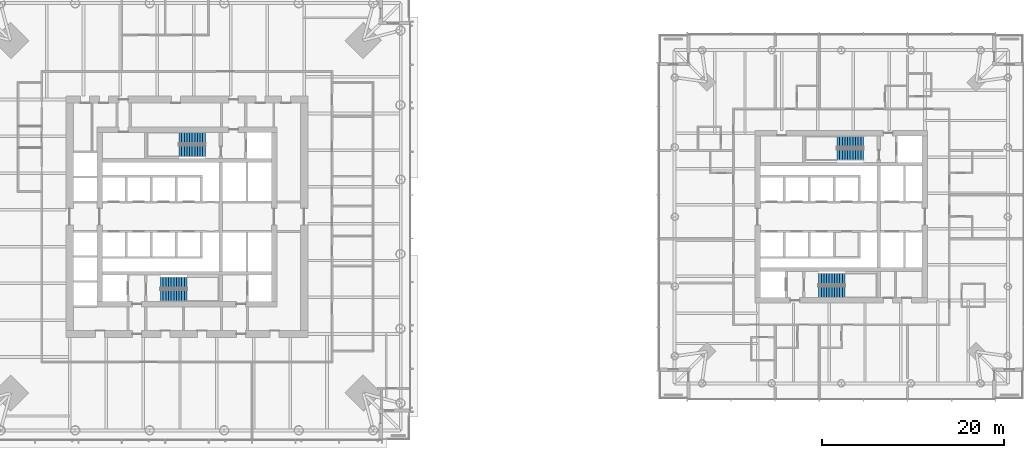
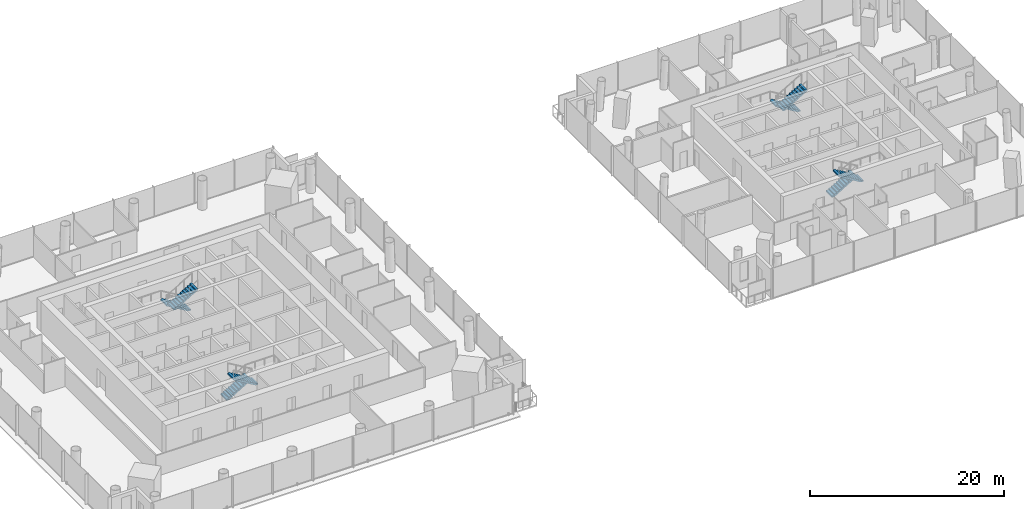
# One storey, part 17 of 26: 8 stair flights, 4 elements without a shape of their own.
"""IFC4 building model written with IfcOpenShell, lengths in metres."""

import ifcopenshell
import ifcopenshell.guid

model = None  # the IFC model being written
_history = None  # IfcOwnerHistory: only IFC2X3 demands one
_inside = {}  # id of a spatial element -> (the spatial element, [elements in it])
_under = {}  # id of a project, library or spatial element -> (it, [spatial elements below it])
_declared = {}  # id of a project -> (the project, [libraries it declares])
_typed = {}  # id of a type object -> (the type object, [elements of that type])
_made_of = {}  # id of a material, layer set ... -> (it, [elements and type objects made of it])


def new_model(schema):
    """Start an empty IFC model of exactly this schema.

    Asked for "IFC4X3", IfcOpenShell would pick the latest addendum, in which some entities
    have other attributes; the version numbers below select the first issue.
    IFC2X3 requires an IfcOwnerHistory on every rooted entity: one is made here for all.
    """
    global model, _history
    if schema == "IFC4X3":
        model = ifcopenshell.file(schema_version=(4, 3, 0, 0))
    else:
        model = ifcopenshell.file(schema=schema)
    _inside.clear()
    _under.clear()
    _declared.clear()
    _typed.clear()
    _made_of.clear()
    _history = None
    if model.schema == "IFC2X3":
        org = make("IfcOrganization", Name="unknown")
        user = make(
            "IfcPersonAndOrganization",
            ThePerson=make("IfcPerson", FamilyName="unknown"),
            TheOrganization=org,
        )
        app = make(
            "IfcApplication",
            ApplicationDeveloper=org,
            Version="unknown",
            ApplicationFullName="unknown",
            ApplicationIdentifier="unknown",
        )
        _history = make(
            "IfcOwnerHistory",
            OwningUser=user,
            OwningApplication=app,
            ChangeAction="ADDED",
            CreationDate=0,
        )
    return model


def make(cls, **values):
    """One entity of the class cls with the attributes given. An attribute that is None is left unset."""
    return model.create_entity(
        cls, **{name: value for name, value in values.items() if value is not None}
    )


def rooted(cls, **values):
    """An entity with a GlobalId (a new one), such as an element, a storey or a relation."""
    return make(cls, GlobalId=ifcopenshell.guid.new(), OwnerHistory=_history, **values)


def si_unit(unit_type, name, prefix=None):
    """IfcSIUnit, for example si_unit("LENGTHUNIT", "METRE", prefix="MILLI")."""
    return make("IfcSIUnit", UnitType=unit_type, Prefix=prefix, Name=name)


def assignment(units):
    """IfcUnitAssignment: the units of a project."""
    return None if units is None else make("IfcUnitAssignment", Units=units)


def point(xyz):
    """IfcCartesianPoint."""
    return None if xyz is None else make("IfcCartesianPoint", Coordinates=xyz)


def direction(xyz):
    """IfcDirection."""
    return None if xyz is None else make("IfcDirection", DirectionRatios=xyz)


def frame(location, z_axis=None, x_axis=None):
    """IfcAxis2Placement3D, a coordinate frame: its origin and axes. An axis left out is left unset."""
    return make(
        "IfcAxis2Placement3D",
        Location=point(location),
        Axis=direction(z_axis),
        RefDirection=direction(x_axis),
    )


def origin():
    """The frame at (0, 0, 0) with its axes left unset."""
    return frame((0.0, 0.0, 0.0))


def place(relative_to, where):
    """IfcLocalPlacement: puts the frame where relative to a parent placement (None: the world)."""
    return make(
        "IfcLocalPlacement", PlacementRelTo=relative_to, RelativePlacement=where
    )


def context(
    kind, dimensions, precision=None, world=None, true_north=None, identifier=None
):
    """IfcGeometricRepresentationContext, for example the 3D "Model" context."""
    return make(
        "IfcGeometricRepresentationContext",
        ContextIdentifier=identifier,
        ContextType=kind,
        CoordinateSpaceDimension=dimensions,
        Precision=precision,
        WorldCoordinateSystem=world,
        TrueNorth=true_north,
    )


def subcontext(parent, identifier, kind, view, scale=None):
    """IfcGeometricRepresentationSubContext, for example "Body" below "Model"."""
    return make(
        "IfcGeometricRepresentationSubContext",
        ContextIdentifier=identifier,
        ContextType=kind,
        ParentContext=parent,
        TargetScale=scale,
        TargetView=view,
    )


def project(units=None, contexts=None):
    """IfcProject with its units and contexts."""
    return rooted(
        "IfcProject",
        Name="project",
        RepresentationContexts=contexts,
        UnitsInContext=assignment(units),
    )


def spatial(cls, under=None, at=None, **own):
    """A site, building, storey or space (cls), placed at a placement, below another one or the project."""
    s = rooted(cls, ObjectPlacement=at, **own)
    if under is not None:
        _under.setdefault(under.id(), (under, []))[1].append(s)
    return s


def polyline(points):
    """IfcPolyline through the points."""
    return make("IfcPolyline", Points=[point(p) for p in points])


def outline(outer, holes=None, kind="AREA"):
    """IfcArbitraryClosedProfileDef: a profile drawn as a closed curve; with holes, ...WithVoids."""
    if holes is None:
        return make("IfcArbitraryClosedProfileDef", ProfileType=kind, OuterCurve=outer)
    return make(
        "IfcArbitraryProfileDefWithVoids",
        ProfileType=kind,
        OuterCurve=outer,
        InnerCurves=holes,
    )


def extrude(swept, where, along, depth):
    """IfcExtrudedAreaSolid: the profile swept, set in the frame where, extruded along a direction by depth."""
    return make(
        "IfcExtrudedAreaSolid",
        SweptArea=swept,
        Position=where,
        ExtrudedDirection=direction(along),
        Depth=depth,
    )


def shape(context_of_items, identifier, shape_type, items):
    """IfcShapeRepresentation: the items that make up one representation, for example the "Body"."""
    return make(
        "IfcShapeRepresentation",
        ContextOfItems=context_of_items,
        RepresentationIdentifier=identifier,
        RepresentationType=shape_type,
        Items=items,
    )


def material(Name=None, Category=None):
    """IfcMaterial."""
    return make("IfcMaterial", Name=Name, Category=Category)


def made_of(thing, what):
    """Note that an element or type object is made of a material, layer set ...; save() writes the relation."""
    if what is not None:
        _made_of.setdefault(what.id(), (what, []))[1].append(thing)
    return thing


def type_object(cls, material=None, **own):
    """A type object (cls), such as IfcWallType, which elements share."""
    return made_of(rooted(cls, **own), material)


def element(
    cls,
    number,
    at=None,
    inside=None,
    cuts=None,
    type_object=None,
    material=None,
    context=None,
    identifier="Body",
    shape_type=None,
    held_by="IfcProductDefinitionShape",
    body=None,
    shapes=None,
    **own,
):
    """One element of the class cls, such as IfcWall. Its Tag is "e" and its number.

    at: its placement. inside: the storey or other place that contains it. cuts: it is an
    opening in that element (IfcRelVoidsElement). A single representation is given by context,
    identifier, shape_type and body (its items); several are given by shapes. held_by: the class
    of the entity that holds the representations. save() writes the other relations.
    """
    e = rooted(cls, Tag="e%d" % number, ObjectPlacement=at, **own)
    if body is not None:
        shapes = [shape(context, identifier, shape_type, body)]
    if shapes is not None:
        e.Representation = make(held_by, Representations=shapes)
    if inside is not None:
        _inside.setdefault(inside.id(), (inside, []))[1].append(e)
    if cuts is not None:
        rooted(
            "IfcRelVoidsElement", RelatingBuildingElement=cuts, RelatedOpeningElement=e
        )
    if type_object is not None:
        _typed.setdefault(type_object.id(), (type_object, []))[1].append(e)
    return made_of(e, material)


def aggregate(whole, parts):
    """IfcRelAggregates: a whole, such as a stair, and the parts it consists of."""
    return rooted("IfcRelAggregates", RelatingObject=whole, RelatedObjects=parts)


def save(model, path):
    """Write the relations noted so far, then the file.

    IfcRelAggregates (storeys below a building ...), IfcRelContainedInSpatialStructure (elements
    in a storey), IfcRelDefinesByType, IfcRelAssociatesMaterial and IfcRelDeclares: one each for
    every whole, place, type object, material and project.
    """
    for whole, parts in _under.values():
        aggregate(whole, parts)
    for where, things in _inside.values():
        rooted(
            "IfcRelContainedInSpatialStructure",
            RelatedElements=things,
            RelatingStructure=where,
        )
    for kind, things in _typed.values():
        rooted("IfcRelDefinesByType", RelatedObjects=things, RelatingType=kind)
    for what, things in _made_of.values():
        rooted("IfcRelAssociatesMaterial", RelatedObjects=things, RelatingMaterial=what)
    for by, libraries in _declared.values():
        rooted("IfcRelDeclares", RelatingContext=by, RelatedDefinitions=libraries)
    model.write(path)


model = new_model("IFC4")

# Units and contexts
model_context = context("Model", 3, precision=1e-05, world=origin(), true_north=direction((0.0, 1.0)))
body_context = subcontext(model_context, "Body", "Model", "MODEL_VIEW")
ifc_project = project(units=[si_unit("LENGTHUNIT", "METRE"), si_unit("AREAUNIT", "SQUARE_METRE"), si_unit("VOLUMEUNIT", "CUBIC_METRE"), si_unit("PLANEANGLEUNIT", "RADIAN"), si_unit("MASSUNIT", "GRAM", prefix="KILO")], contexts=[model_context])

# Site, building, storey
site_placement = place(None, origin())
site = spatial("IfcSite", under=ifc_project, at=site_placement, CompositionType="ELEMENT")
building_placement = place(site_placement, origin())
building = spatial("IfcBuilding", under=site, at=building_placement, Name="Ostroluk Exchange", CompositionType="ELEMENT")
storey_placement = place(building_placement, frame((0.0, 0.0, 36.199951171875)))
storey = spatial("IfcBuildingStorey", under=building, at=storey_placement, Name="L08", CompositionType="ELEMENT", Elevation=36.199951171875)

# Stair, stair flights
ifc_material_1 = material(Name="Concrete C30/37", Category="concrete")
stair_type = type_object("IfcStairType", Name="Exit stair half turn 3800", PredefinedType="HALF_TURN_STAIR", material=ifc_material_1)
stair_1_placement = place(storey_placement, origin())
stair_1 = element("IfcStair", 1, at=stair_1_placement, inside=storey, type_object=stair_type, Name="Stair T1-S1 L08", PredefinedType="HALF_TURN_STAIR")
ifc_material_2 = material(Name="Concrete C30/37", Category="concrete")
stair_flight_type = type_object("IfcStairFlightType", Name="Stair flight 11 risers 172.7 x 290", PredefinedType="STRAIGHT", material=ifc_material_2)
stair_flight_1_placement = place(storey_placement, frame((42.10009765625, 38.77490234375, 0.0), z_axis=(0.0, 0.0, 1.0), x_axis=(1.0, 0.0, 0.0)))
stair_flight_1 = element("IfcStairFlight", 2, at=stair_flight_1_placement, type_object=stair_flight_type, Name="T1-S1 flight 1", NumberOfRisers=11, NumberOfTreads=10, PredefinedType="STRAIGHT", RiserHeight=0.172727273, TreadLength=0.29, context=body_context, shape_type="SweptSolid", body=[
    extrude(outline(polyline([(0.0, 0.0), (0.0, 0.172607421875), (0.2900390625, 0.172607421875), (0.2900390625, 0.345458984375), (0.580078125, 0.345458984375), (0.580078125, 0.51806640625), (0.8701171875, 0.51806640625), (0.8701171875, 0.69091796875), (1.159912109375, 0.69091796875), (1.159912109375, 0.863525390625), (1.449951171875, 0.863525390625), (1.449951171875, 1.036376953125), (1.739990234375, 1.036376953125), (1.739990234375, 1.208984375), (2.030029296875, 1.208984375), (2.030029296875, 1.3818359375), (2.320068359375, 1.3818359375), (2.320068359375, 1.554443359375), (2.610107421875, 1.554443359375), (2.610107421875, 1.727294921875), (2.89990234375, 1.727294921875), (2.89990234375, 1.89990234375), (2.89990234375, 1.552734375), (0.29296875, 0.0), (0.0, 0.0)])), frame((0.0, 0.625, 0.0), z_axis=(0.0, -1.0, 0.0), x_axis=(1.0, 0.0, 0.0)), (0.0, 0.0, 1.0), 1.25),
])
stair_flight_2_placement = place(storey_placement, frame((45.0, 37.324951171875, 1.900146484375), z_axis=(0.0, 0.0, 1.0), x_axis=(-1.0, 0.0, 0.0)))
stair_flight_2 = element("IfcStairFlight", 3, at=stair_flight_2_placement, type_object=stair_flight_type, Name="T1-S1 flight 2", NumberOfRisers=11, NumberOfTreads=10, PredefinedType="STRAIGHT", RiserHeight=0.172727273, TreadLength=0.29, context=body_context, shape_type="SweptSolid", body=[
    extrude(outline(polyline([(0.0, 0.0), (0.0, 0.172607421875), (0.2900390625, 0.172607421875), (0.2900390625, 0.345458984375), (0.580078125, 0.345458984375), (0.580078125, 0.51806640625), (0.8701171875, 0.51806640625), (0.8701171875, 0.69091796875), (1.159912109375, 0.69091796875), (1.159912109375, 0.863525390625), (1.449951171875, 0.863525390625), (1.449951171875, 1.036376953125), (1.739990234375, 1.036376953125), (1.739990234375, 1.208984375), (2.030029296875, 1.208984375), (2.030029296875, 1.3818359375), (2.320068359375, 1.3818359375), (2.320068359375, 1.554443359375), (2.610107421875, 1.554443359375), (2.610107421875, 1.727294921875), (2.89990234375, 1.727294921875), (2.89990234375, 1.89990234375), (2.89990234375, 1.552734375), (0.29296875, 0.0), (0.0, 0.0)])), frame((0.0, 0.625, 0.0), z_axis=(0.0, -1.0, 0.0), x_axis=(1.0, 0.0, 0.0)), (0.0, 0.0, 1.0), 1.25),
])
aggregate(stair_1, [stair_flight_1, stair_flight_2])

stair_2_placement = place(storey_placement, origin())
stair_2 = element("IfcStair", 4, at=stair_2_placement, inside=storey, type_object=stair_type, Name="Stair T1-S2 L08", PredefinedType="HALF_TURN_STAIR")
stair_flight_3_placement = place(storey_placement, frame((47.030029296875, 54.675048828125, 0.0), z_axis=(0.0, 0.0, 1.0), x_axis=(-1.0, 0.0, 0.0)))
stair_flight_3 = element("IfcStairFlight", 5, at=stair_flight_3_placement, type_object=stair_flight_type, Name="T1-S2 flight 1", NumberOfRisers=11, NumberOfTreads=10, PredefinedType="STRAIGHT", RiserHeight=0.172727273, TreadLength=0.29, context=body_context, shape_type="SweptSolid", body=[
    extrude(outline(polyline([(0.0, 0.0), (0.0, 0.172607421875), (0.2900390625, 0.172607421875), (0.2900390625, 0.345458984375), (0.580078125, 0.345458984375), (0.580078125, 0.51806640625), (0.8701171875, 0.51806640625), (0.8701171875, 0.69091796875), (1.159912109375, 0.69091796875), (1.159912109375, 0.863525390625), (1.449951171875, 0.863525390625), (1.449951171875, 1.036376953125), (1.739990234375, 1.036376953125), (1.739990234375, 1.208984375), (2.030029296875, 1.208984375), (2.030029296875, 1.3818359375), (2.320068359375, 1.3818359375), (2.320068359375, 1.554443359375), (2.610107421875, 1.554443359375), (2.610107421875, 1.727294921875), (2.89990234375, 1.727294921875), (2.89990234375, 1.89990234375), (2.89990234375, 1.552734375), (0.29296875, 0.0), (0.0, 0.0)])), frame((0.0, 0.625, 0.0), z_axis=(0.0, -1.0, 0.0), x_axis=(1.0, 0.0, 0.0)), (0.0, 0.0, 1.0), 1.25),
])
stair_flight_4_placement = place(storey_placement, frame((44.1298828125, 53.22509765625, 1.900146484375), z_axis=(0.0, 0.0, 1.0), x_axis=(1.0, 0.0, 0.0)))
stair_flight_4 = element("IfcStairFlight", 6, at=stair_flight_4_placement, type_object=stair_flight_type, Name="T1-S2 flight 2", NumberOfRisers=11, NumberOfTreads=10, PredefinedType="STRAIGHT", RiserHeight=0.172727273, TreadLength=0.29, context=body_context, shape_type="SweptSolid", body=[
    extrude(outline(polyline([(0.0, 0.0), (0.0, 0.172607421875), (0.2900390625, 0.172607421875), (0.2900390625, 0.345458984375), (0.580078125, 0.345458984375), (0.580078125, 0.51806640625), (0.8701171875, 0.51806640625), (0.8701171875, 0.69091796875), (1.159912109375, 0.69091796875), (1.159912109375, 0.863525390625), (1.449951171875, 0.863525390625), (1.449951171875, 1.036376953125), (1.739990234375, 1.036376953125), (1.739990234375, 1.208984375), (2.030029296875, 1.208984375), (2.030029296875, 1.3818359375), (2.320068359375, 1.3818359375), (2.320068359375, 1.554443359375), (2.610107421875, 1.554443359375), (2.610107421875, 1.727294921875), (2.89990234375, 1.727294921875), (2.89990234375, 1.89990234375), (2.89990234375, 1.552734375), (0.29296875, 0.0), (0.0, 0.0)])), frame((0.0, 0.625, 0.0), z_axis=(0.0, -1.0, 0.0), x_axis=(1.0, 0.0, 0.0)), (0.0, 0.0, 1.0), 1.25),
])
aggregate(stair_2, [stair_flight_3, stair_flight_4])

stair_3_placement = place(storey_placement, origin())
stair_3 = element("IfcStair", 7, at=stair_3_placement, inside=storey, type_object=stair_type, Name="Stair T2-S1 L08", PredefinedType="HALF_TURN_STAIR")
stair_flight_5_placement = place(storey_placement, frame((114.5, 39.175048828125, 0.0), z_axis=(0.0, 0.0, 1.0), x_axis=(1.0, 0.0, 0.0)))
stair_flight_5 = element("IfcStairFlight", 8, at=stair_flight_5_placement, type_object=stair_flight_type, Name="T2-S1 flight 1", NumberOfRisers=11, NumberOfTreads=10, PredefinedType="STRAIGHT", RiserHeight=0.172727273, TreadLength=0.29, context=body_context, shape_type="SweptSolid", body=[
    extrude(outline(polyline([(0.0, 0.0), (0.0, 0.172607421875), (0.2900390625, 0.172607421875), (0.2900390625, 0.345458984375), (0.580078125, 0.345458984375), (0.580078125, 0.51806640625), (0.8701171875, 0.51806640625), (0.8701171875, 0.69091796875), (1.159912109375, 0.69091796875), (1.159912109375, 0.863525390625), (1.449951171875, 0.863525390625), (1.449951171875, 1.036376953125), (1.739990234375, 1.036376953125), (1.739990234375, 1.208984375), (2.030029296875, 1.208984375), (2.030029296875, 1.3818359375), (2.320068359375, 1.3818359375), (2.320068359375, 1.554443359375), (2.610107421875, 1.554443359375), (2.610107421875, 1.727294921875), (2.89990234375, 1.727294921875), (2.89990234375, 1.89990234375), (2.89990234375, 1.552734375), (0.29296875, 0.0), (0.0, 0.0)])), frame((0.0, 0.625, 0.0), z_axis=(0.0, -1.0, 0.0), x_axis=(1.0, 0.0, 0.0)), (0.0, 0.0, 1.0), 1.25),
])
stair_flight_6_placement = place(storey_placement, frame((117.39990234375, 37.72509765625, 1.900146484375), z_axis=(0.0, 0.0, 1.0), x_axis=(-1.0, 0.0, 0.0)))
stair_flight_6 = element("IfcStairFlight", 9, at=stair_flight_6_placement, type_object=stair_flight_type, Name="T2-S1 flight 2", NumberOfRisers=11, NumberOfTreads=10, PredefinedType="STRAIGHT", RiserHeight=0.172727273, TreadLength=0.29, context=body_context, shape_type="SweptSolid", body=[
    extrude(outline(polyline([(0.0, 0.0), (0.0, 0.172607421875), (0.2900390625, 0.172607421875), (0.2900390625, 0.345458984375), (0.580078125, 0.345458984375), (0.580078125, 0.51806640625), (0.8701171875, 0.51806640625), (0.8701171875, 0.69091796875), (1.159912109375, 0.69091796875), (1.159912109375, 0.863525390625), (1.449951171875, 0.863525390625), (1.449951171875, 1.036376953125), (1.739990234375, 1.036376953125), (1.739990234375, 1.208984375), (2.030029296875, 1.208984375), (2.030029296875, 1.3818359375), (2.320068359375, 1.3818359375), (2.320068359375, 1.554443359375), (2.610107421875, 1.554443359375), (2.610107421875, 1.727294921875), (2.89990234375, 1.727294921875), (2.89990234375, 1.89990234375), (2.89990234375, 1.552734375), (0.29296875, 0.0), (0.0, 0.0)])), frame((0.0, 0.625, 0.0), z_axis=(0.0, -1.0, 0.0), x_axis=(1.0, 0.0, 0.0)), (0.0, 0.0, 1.0), 1.25),
])
aggregate(stair_3, [stair_flight_5, stair_flight_6])

stair_4_placement = place(storey_placement, origin())
stair_4 = element("IfcStair", 10, at=stair_4_placement, inside=storey, type_object=stair_type, Name="Stair T2-S2 L08", PredefinedType="HALF_TURN_STAIR")
stair_flight_7_placement = place(storey_placement, frame((119.429931640625, 54.27490234375, 0.0), z_axis=(0.0, 0.0, 1.0), x_axis=(-1.0, 0.0, 0.0)))
stair_flight_7 = element("IfcStairFlight", 11, at=stair_flight_7_placement, type_object=stair_flight_type, Name="T2-S2 flight 1", NumberOfRisers=11, NumberOfTreads=10, PredefinedType="STRAIGHT", RiserHeight=0.172727273, TreadLength=0.29, context=body_context, shape_type="SweptSolid", body=[
    extrude(outline(polyline([(0.0, 0.0), (0.0, 0.172607421875), (0.2900390625, 0.172607421875), (0.2900390625, 0.345458984375), (0.580078125, 0.345458984375), (0.580078125, 0.51806640625), (0.8701171875, 0.51806640625), (0.8701171875, 0.69091796875), (1.159912109375, 0.69091796875), (1.159912109375, 0.863525390625), (1.449951171875, 0.863525390625), (1.449951171875, 1.036376953125), (1.739990234375, 1.036376953125), (1.739990234375, 1.208984375), (2.030029296875, 1.208984375), (2.030029296875, 1.3818359375), (2.320068359375, 1.3818359375), (2.320068359375, 1.554443359375), (2.610107421875, 1.554443359375), (2.610107421875, 1.727294921875), (2.89990234375, 1.727294921875), (2.89990234375, 1.89990234375), (2.89990234375, 1.552734375), (0.29296875, 0.0), (0.0, 0.0)])), frame((0.0, 0.625, 0.0), z_axis=(0.0, -1.0, 0.0), x_axis=(1.0, 0.0, 0.0)), (0.0, 0.0, 1.0), 1.25),
])
stair_flight_8_placement = place(storey_placement, frame((116.530029296875, 52.824951171875, 1.900146484375), z_axis=(0.0, 0.0, 1.0), x_axis=(1.0, 0.0, 0.0)))
stair_flight_8 = element("IfcStairFlight", 12, at=stair_flight_8_placement, type_object=stair_flight_type, Name="T2-S2 flight 2", NumberOfRisers=11, NumberOfTreads=10, PredefinedType="STRAIGHT", RiserHeight=0.172727273, TreadLength=0.29, context=body_context, shape_type="SweptSolid", body=[
    extrude(outline(polyline([(0.0, 0.0), (0.0, 0.172607421875), (0.2900390625, 0.172607421875), (0.2900390625, 0.345458984375), (0.580078125, 0.345458984375), (0.580078125, 0.51806640625), (0.8701171875, 0.51806640625), (0.8701171875, 0.69091796875), (1.159912109375, 0.69091796875), (1.159912109375, 0.863525390625), (1.449951171875, 0.863525390625), (1.449951171875, 1.036376953125), (1.739990234375, 1.036376953125), (1.739990234375, 1.208984375), (2.030029296875, 1.208984375), (2.030029296875, 1.3818359375), (2.320068359375, 1.3818359375), (2.320068359375, 1.554443359375), (2.610107421875, 1.554443359375), (2.610107421875, 1.727294921875), (2.89990234375, 1.727294921875), (2.89990234375, 1.89990234375), (2.89990234375, 1.552734375), (0.29296875, 0.0), (0.0, 0.0)])), frame((0.0, 0.625, 0.0), z_axis=(0.0, -1.0, 0.0), x_axis=(1.0, 0.0, 0.0)), (0.0, 0.0, 1.0), 1.25),
])
aggregate(stair_4, [stair_flight_7, stair_flight_8])

save(model, "model.ifc")
